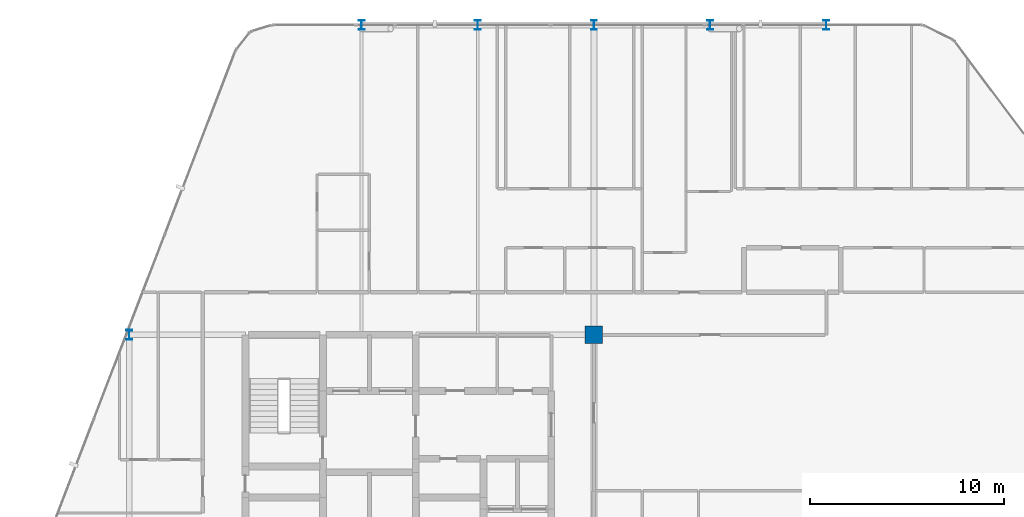
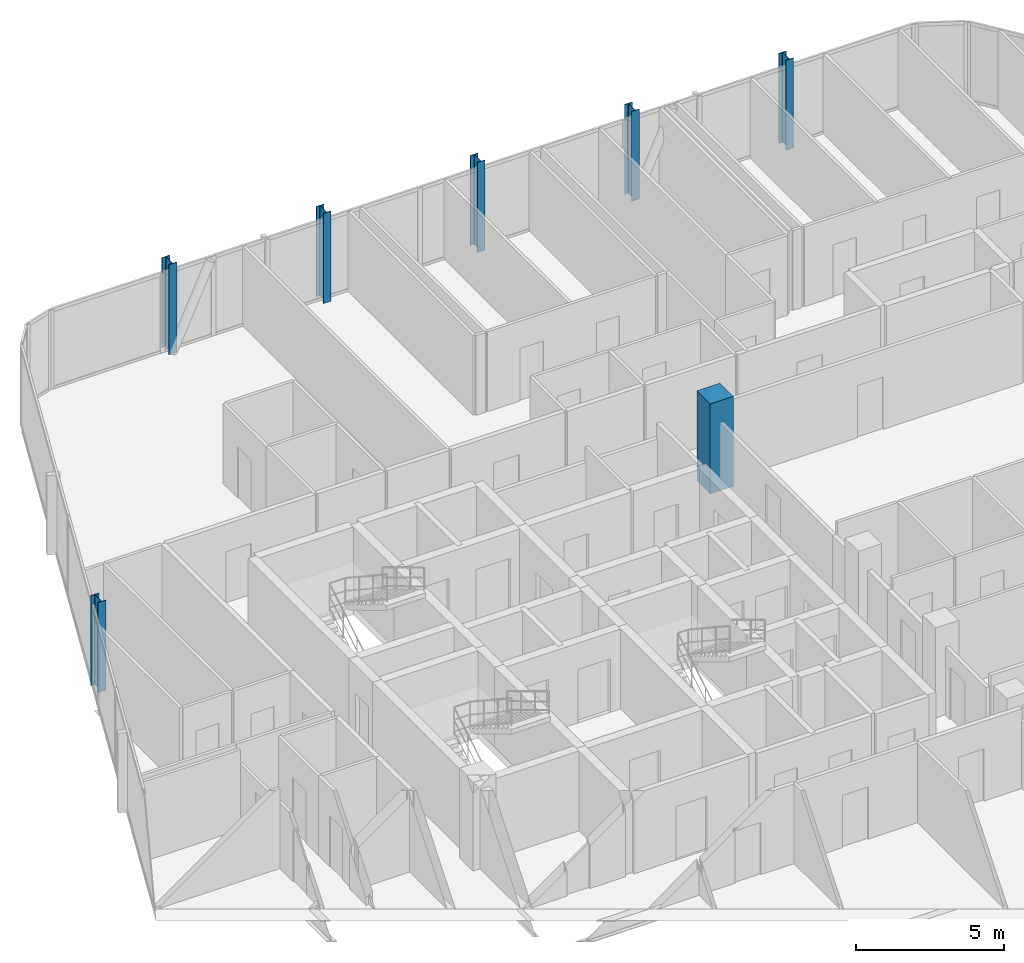
# One storey, part 3 of 31: 7 columns.
"""IFC4 building model written with IfcOpenShell, lengths in metres."""

import ifcopenshell
import ifcopenshell.guid

model = None  # the IFC model being written
_history = None  # IfcOwnerHistory: only IFC2X3 demands one
_inside = {}  # id of a spatial element -> (the spatial element, [elements in it])
_under = {}  # id of a project, library or spatial element -> (it, [spatial elements below it])
_declared = {}  # id of a project -> (the project, [libraries it declares])
_typed = {}  # id of a type object -> (the type object, [elements of that type])
_made_of = {}  # id of a material, layer set ... -> (it, [elements and type objects made of it])


def new_model(schema):
    """Start an empty IFC model of exactly this schema.

    Asked for "IFC4X3", IfcOpenShell would pick the latest addendum, in which some entities
    have other attributes; the version numbers below select the first issue.
    IFC2X3 requires an IfcOwnerHistory on every rooted entity: one is made here for all.
    """
    global model, _history
    if schema == "IFC4X3":
        model = ifcopenshell.file(schema_version=(4, 3, 0, 0))
    else:
        model = ifcopenshell.file(schema=schema)
    _inside.clear()
    _under.clear()
    _declared.clear()
    _typed.clear()
    _made_of.clear()
    _history = None
    if model.schema == "IFC2X3":
        org = make("IfcOrganization", Name="unknown")
        user = make(
            "IfcPersonAndOrganization",
            ThePerson=make("IfcPerson", FamilyName="unknown"),
            TheOrganization=org,
        )
        app = make(
            "IfcApplication",
            ApplicationDeveloper=org,
            Version="unknown",
            ApplicationFullName="unknown",
            ApplicationIdentifier="unknown",
        )
        _history = make(
            "IfcOwnerHistory",
            OwningUser=user,
            OwningApplication=app,
            ChangeAction="ADDED",
            CreationDate=0,
        )
    return model


def make(cls, **values):
    """One entity of the class cls with the attributes given. An attribute that is None is left unset."""
    return model.create_entity(
        cls, **{name: value for name, value in values.items() if value is not None}
    )


def rooted(cls, **values):
    """An entity with a GlobalId (a new one), such as an element, a storey or a relation."""
    return make(cls, GlobalId=ifcopenshell.guid.new(), OwnerHistory=_history, **values)


def si_unit(unit_type, name, prefix=None):
    """IfcSIUnit, for example si_unit("LENGTHUNIT", "METRE", prefix="MILLI")."""
    return make("IfcSIUnit", UnitType=unit_type, Prefix=prefix, Name=name)


def assignment(units):
    """IfcUnitAssignment: the units of a project."""
    return None if units is None else make("IfcUnitAssignment", Units=units)


def point(xyz):
    """IfcCartesianPoint."""
    return None if xyz is None else make("IfcCartesianPoint", Coordinates=xyz)


def direction(xyz):
    """IfcDirection."""
    return None if xyz is None else make("IfcDirection", DirectionRatios=xyz)


def frame(location, z_axis=None, x_axis=None):
    """IfcAxis2Placement3D, a coordinate frame: its origin and axes. An axis left out is left unset."""
    return make(
        "IfcAxis2Placement3D",
        Location=point(location),
        Axis=direction(z_axis),
        RefDirection=direction(x_axis),
    )


def frame_2d(location, x_axis=None):
    """IfcAxis2Placement2D, a coordinate frame in the plane: its origin and x axis."""
    return make(
        "IfcAxis2Placement2D", Location=point(location), RefDirection=direction(x_axis)
    )


def origin():
    """The frame at (0, 0, 0) with its axes left unset."""
    return frame((0.0, 0.0, 0.0))


def origin_2d():
    """The frame at (0, 0) in the plane with its x axis left unset."""
    return frame_2d((0.0, 0.0))


def place(relative_to, where):
    """IfcLocalPlacement: puts the frame where relative to a parent placement (None: the world)."""
    return make(
        "IfcLocalPlacement", PlacementRelTo=relative_to, RelativePlacement=where
    )


def context(
    kind, dimensions, precision=None, world=None, true_north=None, identifier=None
):
    """IfcGeometricRepresentationContext, for example the 3D "Model" context."""
    return make(
        "IfcGeometricRepresentationContext",
        ContextIdentifier=identifier,
        ContextType=kind,
        CoordinateSpaceDimension=dimensions,
        Precision=precision,
        WorldCoordinateSystem=world,
        TrueNorth=true_north,
    )


def subcontext(parent, identifier, kind, view, scale=None):
    """IfcGeometricRepresentationSubContext, for example "Body" below "Model"."""
    return make(
        "IfcGeometricRepresentationSubContext",
        ContextIdentifier=identifier,
        ContextType=kind,
        ParentContext=parent,
        TargetScale=scale,
        TargetView=view,
    )


def project(units=None, contexts=None):
    """IfcProject with its units and contexts."""
    return rooted(
        "IfcProject",
        Name="project",
        RepresentationContexts=contexts,
        UnitsInContext=assignment(units),
    )


def spatial(cls, under=None, at=None, **own):
    """A site, building, storey or space (cls), placed at a placement, below another one or the project."""
    s = rooted(cls, ObjectPlacement=at, **own)
    if under is not None:
        _under.setdefault(under.id(), (under, []))[1].append(s)
    return s


def profile(cls, at=None, kind="AREA", **sizes):
    """A parametric profile (cls). Its sizes go by their IFC names, for example OverallWidth=200.0."""
    return make(cls, ProfileType=kind, Position=at, **sizes)


def rectangle(**sizes):
    """IfcRectangleProfileDef."""
    return profile("IfcRectangleProfileDef", **sizes)


def i_section(**sizes):
    """IfcIShapeProfileDef."""
    return profile("IfcIShapeProfileDef", **sizes)


def extrude(swept, where, along, depth):
    """IfcExtrudedAreaSolid: the profile swept, set in the frame where, extruded along a direction by depth."""
    return make(
        "IfcExtrudedAreaSolid",
        SweptArea=swept,
        Position=where,
        ExtrudedDirection=direction(along),
        Depth=depth,
    )


def shape(context_of_items, identifier, shape_type, items):
    """IfcShapeRepresentation: the items that make up one representation, for example the "Body"."""
    return make(
        "IfcShapeRepresentation",
        ContextOfItems=context_of_items,
        RepresentationIdentifier=identifier,
        RepresentationType=shape_type,
        Items=items,
    )


def material(Name=None, Category=None):
    """IfcMaterial."""
    return make("IfcMaterial", Name=Name, Category=Category)


def material_profile(
    of_material, cross_section, Name=None, Category=None, Priority=None
):
    """IfcMaterialProfile: a cross section and its material."""
    return make(
        "IfcMaterialProfile",
        Name=Name,
        Material=of_material,
        Profile=cross_section,
        Priority=Priority,
        Category=Category,
    )


def profile_set(profiles, Name=None, composite=None):
    """IfcMaterialProfileSet."""
    return make(
        "IfcMaterialProfileSet",
        Name=Name,
        MaterialProfiles=profiles,
        CompositeProfile=composite,
    )


def made_of(thing, what):
    """Note that an element or type object is made of a material, layer set ...; save() writes the relation."""
    if what is not None:
        _made_of.setdefault(what.id(), (what, []))[1].append(thing)
    return thing


def type_object(cls, material=None, **own):
    """A type object (cls), such as IfcWallType, which elements share."""
    return made_of(rooted(cls, **own), material)


def element(
    cls,
    number,
    at=None,
    inside=None,
    cuts=None,
    type_object=None,
    material=None,
    context=None,
    identifier="Body",
    shape_type=None,
    held_by="IfcProductDefinitionShape",
    body=None,
    shapes=None,
    **own,
):
    """One element of the class cls, such as IfcWall. Its Tag is "e" and its number.

    at: its placement. inside: the storey or other place that contains it. cuts: it is an
    opening in that element (IfcRelVoidsElement). A single representation is given by context,
    identifier, shape_type and body (its items); several are given by shapes. held_by: the class
    of the entity that holds the representations. save() writes the other relations.
    """
    e = rooted(cls, Tag="e%d" % number, ObjectPlacement=at, **own)
    if body is not None:
        shapes = [shape(context, identifier, shape_type, body)]
    if shapes is not None:
        e.Representation = make(held_by, Representations=shapes)
    if inside is not None:
        _inside.setdefault(inside.id(), (inside, []))[1].append(e)
    if cuts is not None:
        rooted(
            "IfcRelVoidsElement", RelatingBuildingElement=cuts, RelatedOpeningElement=e
        )
    if type_object is not None:
        _typed.setdefault(type_object.id(), (type_object, []))[1].append(e)
    return made_of(e, material)


def aggregate(whole, parts):
    """IfcRelAggregates: a whole, such as a stair, and the parts it consists of."""
    return rooted("IfcRelAggregates", RelatingObject=whole, RelatedObjects=parts)


def save(model, path):
    """Write the relations noted so far, then the file.

    IfcRelAggregates (storeys below a building ...), IfcRelContainedInSpatialStructure (elements
    in a storey), IfcRelDefinesByType, IfcRelAssociatesMaterial and IfcRelDeclares: one each for
    every whole, place, type object, material and project.
    """
    for whole, parts in _under.values():
        aggregate(whole, parts)
    for where, things in _inside.values():
        rooted(
            "IfcRelContainedInSpatialStructure",
            RelatedElements=things,
            RelatingStructure=where,
        )
    for kind, things in _typed.values():
        rooted("IfcRelDefinesByType", RelatedObjects=things, RelatingType=kind)
    for what, things in _made_of.values():
        rooted("IfcRelAssociatesMaterial", RelatedObjects=things, RelatingMaterial=what)
    for by, libraries in _declared.values():
        rooted("IfcRelDeclares", RelatingContext=by, RelatedDefinitions=libraries)
    model.write(path)


model = new_model("IFC4")

# Units and contexts
model_context = context("Model", 3, precision=1e-05, world=origin(), true_north=direction((0.0, 1.0)))
body_context = subcontext(model_context, "Body", "Model", "MODEL_VIEW")
ifc_project = project(units=[si_unit("LENGTHUNIT", "METRE"), si_unit("AREAUNIT", "SQUARE_METRE"), si_unit("VOLUMEUNIT", "CUBIC_METRE"), si_unit("PLANEANGLEUNIT", "RADIAN"), si_unit("MASSUNIT", "GRAM", prefix="KILO")], contexts=[model_context])

# Site, building, storey
site_placement = place(None, origin())
site = spatial("IfcSite", under=ifc_project, at=site_placement, CompositionType="ELEMENT")
building_placement = place(site_placement, origin())
building = spatial("IfcBuilding", under=site, at=building_placement, Name="Keshet Zoharim Tower", CompositionType="ELEMENT")
storey_placement = place(building_placement, frame((0.0, 0.0, 155.699951171875)))
storey = spatial("IfcBuildingStorey", under=building, at=storey_placement, Name="L38", CompositionType="ELEMENT", Elevation=155.699951171875)

# Columns
ifc_material_1 = material(Name="Steel S355", Category="steel")
ifc_material_profile_1 = material_profile(ifc_material_1, i_section(OverallWidth=0.300048828125, OverallDepth=0.5, WebThickness=0.014404296875, FlangeThickness=0.028076171875, FilletRadius=0.027099609375, at=origin_2d()), Name="HEB500")
ifc_profile_set_1 = profile_set([ifc_material_profile_1], Name="Steel S355")
column_type_1 = type_object("IfcColumnType", Name="COL-HEB500", PredefinedType="COLUMN", material=ifc_profile_set_1)
for number, where, z_axis, x_axis, name in (
    (1, (9.0, 37.89990234375, 0.0), (0.0, 0.0, 1.0), (1.0, 0.0, 0.0), "L38 Column 2H"),
    (2, (21.0, 53.89990234375, 0.0), (0.0, 0.0, 1.0), (1.0, 0.0, 0.0), "L38 Column 4L"),
    (3, (27.0, 53.89990234375, 0.0), (0.0, 0.0, 1.0), (1.0, 0.0, 0.0), "L38 Column 5L"),
    (4, (33.0, 53.89990234375, 0.0), (0.0, 0.0, 1.0), (1.0, 0.0, 0.0), "L38 Column 6L"),
    (5, (39.0, 53.89990234375, 0.0), (0.0, 0.0, 1.0), (1.0, 0.0, 0.0), "L38 Column 7L"),
    (6, (45.0, 53.89990234375, 0.0), (0.0, 0.0, 1.0), (1.0, 0.0, 0.0), "L38 Column 8L"),
):
    element("IfcColumn", number, at=place(storey_placement, frame(where, z_axis=z_axis, x_axis=x_axis)), inside=storey, type_object=column_type_1, Name=name, PredefinedType="COLUMN", context=body_context, shape_type="SweptSolid", body=[
        extrude(i_section(OverallWidth=0.300048828125, OverallDepth=0.5, WebThickness=0.014404296875, FlangeThickness=0.028076171875, FilletRadius=0.027099609375, at=origin_2d()), origin(), (0.0, 0.0, 1.0), 3.699951171875),
    ])
ifc_material_2 = material(Name="Concrete C60/75", Category="concrete")
ifc_material_profile_2 = material_profile(ifc_material_2, rectangle(XDim=0.89990234375, YDim=0.89990234375, at=origin_2d()), Name="RC900x900")
ifc_profile_set_2 = profile_set([ifc_material_profile_2], Name="Concrete C60/75")
column_type_2 = type_object("IfcColumnType", Name="COL-RC900", PredefinedType="COLUMN", material=ifc_profile_set_2)
column_placement = place(storey_placement, frame((33.0, 37.89990234375, 0.0), z_axis=(0.0, 0.0, 1.0), x_axis=(1.0, 0.0, 0.0)))
element("IfcColumn", 7, at=column_placement, inside=storey, type_object=column_type_2, Name="L38 Column 6H", PredefinedType="COLUMN", context=body_context, shape_type="SweptSolid", body=[
    extrude(rectangle(XDim=0.89990234375, YDim=0.89990234375, at=origin_2d()), origin(), (0.0, 0.0, 1.0), 3.699951171875),
])

save(model, "model.ifc")
